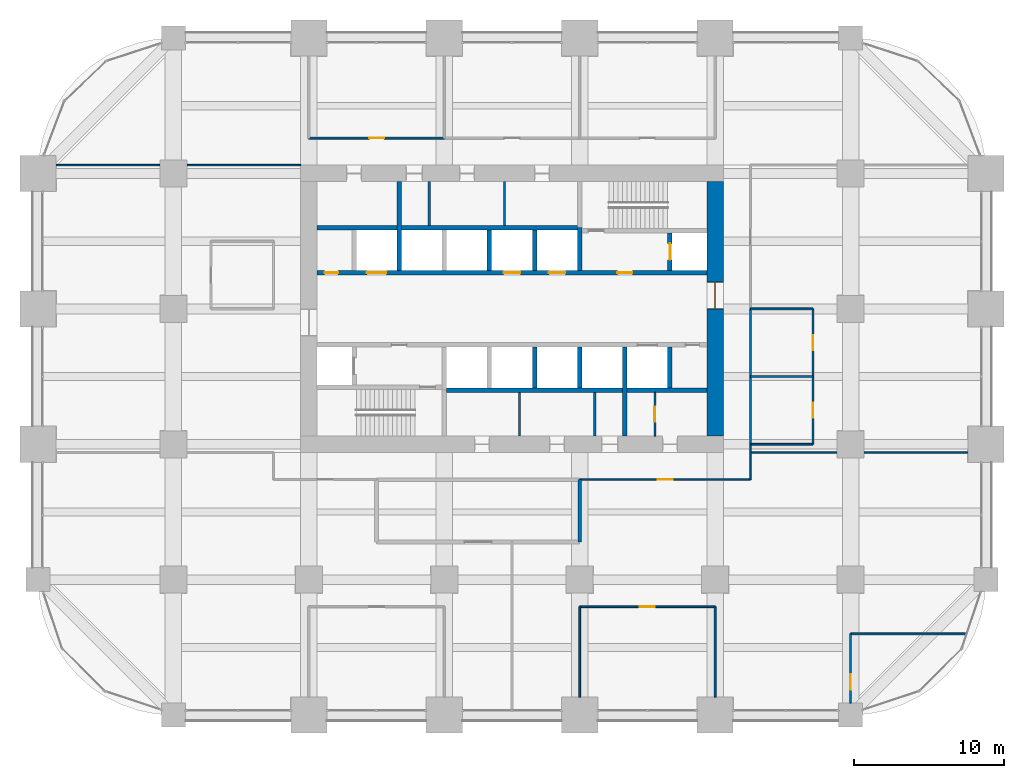
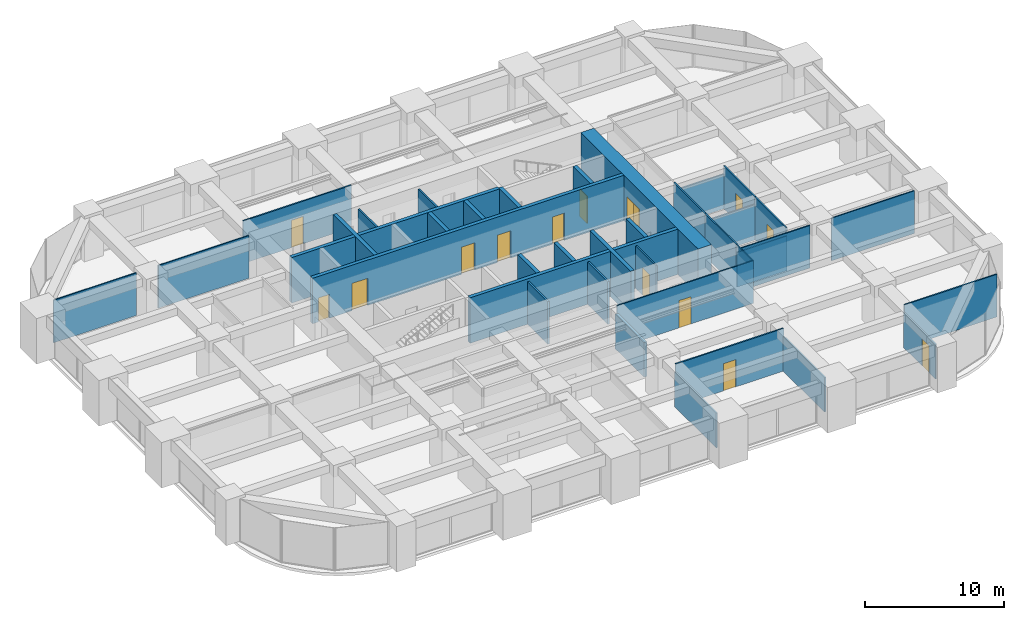
# One storey, part 37 of 39: 38 walls, 14 doors, 14 openings.
"""IFC4 building model written with IfcOpenShell, lengths in metres."""

from ifc_helpers import new_model, si_unit, direction, frame, frame_2d, origin, place, context, subcontext, project, spatial, rectangle, extrude, material, layer, layer_set, type_object, element, fill, save


model = new_model("IFC4")

# Units and contexts
model_context = context("Model", 3, precision=1e-05, world=origin(), true_north=direction((0.0, 1.0)))
body_context = subcontext(model_context, "Body", "Model", "MODEL_VIEW")
ifc_project = project(units=[si_unit("LENGTHUNIT", "METRE"), si_unit("AREAUNIT", "SQUARE_METRE"), si_unit("VOLUMEUNIT", "CUBIC_METRE"), si_unit("PLANEANGLEUNIT", "RADIAN"), si_unit("MASSUNIT", "GRAM", prefix="KILO")], contexts=[model_context])

# Site, building, storey
site_placement = place(None, origin())
site = spatial("IfcSite", under=ifc_project, at=site_placement, CompositionType="ELEMENT")
building_placement = place(site_placement, origin())
building = spatial("IfcBuilding", under=site, at=building_placement, Name="Zorevar Civic Tower", CompositionType="ELEMENT")
storey_placement = place(building_placement, frame((0.0, 0.0, 125.0)))
storey = spatial("IfcBuildingStorey", under=building, at=storey_placement, Name="L30", CompositionType="ELEMENT", Elevation=125.0)

# Wall
ifc_material_1 = material(Name="Twin-stud acoustic wall, gypsum board")
ifc_layer_1 = layer(ifc_material_1, 0.25)
ifc_layer_set_1 = layer_set([ifc_layer_1], Name="Acoustic wall 250")
wall_type_1 = type_object("IfcWallType", Name="Acoustic wall 250", PredefinedType="PARTITIONING", material=ifc_layer_set_1)
wall_1_placement = place(storey_placement, frame((36.0, 11.5, 0.0), z_axis=(0.0, 0.0, 1.0), x_axis=(0.0, 1.0, 0.0)))
element("IfcWall", 1, at=wall_1_placement, inside=storey, type_object=wall_type_1, Name="Acoustic wall 250 L30", PredefinedType="PARTITIONING", context=body_context, shape_type="SweptSolid", body=[
    extrude(rectangle(XDim=4.14990234375, YDim=0.25, at=frame_2d((2.074951171875, 0.0))), origin(), (0.0, 0.0, 1.0), 3.050048828125),
])

# Wall, opening, door
ifc_material_2 = material(Name="Concrete C50/60", Category="concrete")
ifc_layer_2 = layer(ifc_material_2, 1.10009765625)
ifc_layer_set_2 = layer_set([ifc_layer_2], Name="Core wall 1100")
wall_type_2 = type_object("IfcWallType", Name="Core wall 1100", PredefinedType="SHEAR", material=ifc_layer_set_2)
wall_2_placement = place(storey_placement, frame((45.0, 18.550048828125, 0.0), z_axis=(0.0, 0.0, 1.0), x_axis=(0.0, 1.0, 0.0)))
wall_2 = element("IfcWall", 2, at=wall_2_placement, inside=storey, type_object=wall_type_2, Name="Core wall E L30", PredefinedType="SHEAR", context=body_context, shape_type="SweptSolid", body=[
    extrude(rectangle(XDim=16.89990234375, YDim=1.10009765625, at=frame_2d((8.449951171875, 0.0))), origin(), (0.0, 0.0, 1.0), 4.0),
])
opening_1_placement = place(wall_2_placement, frame((8.449951171875, 0.0, 0.0)))
opening_1 = element("IfcOpeningElement", 3, at=opening_1_placement, cuts=wall_2, Name="Opening L30.02", PredefinedType="OPENING", context=body_context, shape_type="SweptSolid", body=[
    extrude(rectangle(XDim=1.800048828125, YDim=2.39990234375, at=frame_2d((0.89990234375, 1.199951171875))), frame((0.0, 0.56005859375, 0.0), z_axis=(0.0, -1.0, 0.0), x_axis=(1.0, 0.0, 0.0)), (0.0, 0.0, 1.0), 1.1201171875),
])
ifc_material_3 = material(Name="Steel door set", Category="steel")
door_type_1 = type_object("IfcDoorType", Name="Fire door FD2 1800x2400", OperationType="DOUBLE_DOOR_DOUBLE_SWING", PredefinedType="DOOR", material=ifc_material_3)
door_1_placement = place(opening_1_placement, origin())
door_1 = element("IfcDoor", 4, at=door_1_placement, inside=storey, type_object=door_type_1, Name="Door L30 01", OperationType="DOUBLE_DOOR_DOUBLE_SWING", OverallHeight=2.39990234375, OverallWidth=1.800048828125, PredefinedType="DOOR", context=body_context, shape_type="SweptSolid", body=[
    extrude(rectangle(XDim=1.800048828125, YDim=2.39990234375, at=frame_2d((0.89990234375, 1.199951171875))), frame((0.0, 0.030029296875, 0.0), z_axis=(0.0, -1.0, 0.0), x_axis=(1.0, 0.0, 0.0)), (0.0, 0.0, 1.0), 0.06005859375),
    extrude(rectangle(XDim=0.04, YDim=2.39990234375, at=frame_2d((0.02001953125, 1.199951171875))), frame((0.0, 0.5498046875, 0.0), z_axis=(0.0, -1.0, 0.0), x_axis=(1.0, 0.0, 0.0)), (0.0, 0.0, 1.0), 1.099609375),
    extrude(rectangle(XDim=0.04, YDim=2.39990234375, at=frame_2d((1.780029296875, 1.199951171875))), frame((0.0, 0.5498046875, 0.0), z_axis=(0.0, -1.0, 0.0), x_axis=(1.0, 0.0, 0.0)), (0.0, 0.0, 1.0), 1.099609375),
    extrude(rectangle(XDim=1.800048828125, YDim=0.04, at=frame_2d((0.89990234375, 2.3798828125))), frame((0.0, 0.5498046875, 0.0), z_axis=(0.0, -1.0, 0.0), x_axis=(1.0, 0.0, 0.0)), (0.0, 0.0, 1.0), 1.099609375),
])
fill(opening_1, door_1)

ifc_material_4 = material(Name="Laminated glass in black aluminium frame", Category="aluminium")
ifc_layer_3 = layer(ifc_material_4, 0.10009765625)
ifc_layer_set_3 = layer_set([ifc_layer_3], Name="Glazed partition 100")
wall_type_3 = type_object("IfcWallType", Name="Glazed partition 100", PredefinedType="PARTITIONING", material=ifc_layer_set_3)
wall_3_placement = place(storey_placement, frame((36.0, 15.64990234375, 0.0), z_axis=(0.0, 0.0, 1.0), x_axis=(1.0, 0.0, 0.0)))
wall_3 = element("IfcWall", 5, at=wall_3_placement, inside=storey, type_object=wall_type_3, Name="Glazed partition 100 L30", PredefinedType="PARTITIONING", context=body_context, shape_type="SweptSolid", body=[
    extrude(rectangle(XDim=11.35009765625, YDim=0.10009765625, at=frame_2d((5.675048828125, 0.0))), origin(), (0.0, 0.0, 1.0), 3.75),
])
opening_2_placement = place(wall_3_placement, frame((5.175048828125, 0.0, 0.0)))
opening_2 = element("IfcOpeningElement", 6, at=opening_2_placement, cuts=wall_3, Name="Opening L30.21", PredefinedType="OPENING", context=body_context, shape_type="SweptSolid", body=[
    extrude(rectangle(XDim=1.0, YDim=2.39990234375, at=frame_2d((0.5, 1.199951171875))), frame((0.0, 0.06005859375, 0.0), z_axis=(0.0, -1.0, 0.0), x_axis=(1.0, 0.0, 0.0)), (0.0, 0.0, 1.0), 0.1201171875),
])
ifc_material_5 = material(Name="Timber door set", Category="wood")
door_type_2 = type_object("IfcDoorType", Name="Glazed door GD1 1000x2400", OperationType="SINGLE_SWING_LEFT", PredefinedType="DOOR", material=ifc_material_5)
door_2_placement = place(opening_2_placement, origin())
door_2 = element("IfcDoor", 7, at=door_2_placement, inside=storey, type_object=door_type_2, Name="Door L30 D1", OperationType="SINGLE_SWING_LEFT", OverallHeight=2.39990234375, OverallWidth=1.0, PredefinedType="DOOR", context=body_context, shape_type="SweptSolid", body=[
    extrude(rectangle(XDim=1.0, YDim=2.39990234375, at=frame_2d((0.5, 1.199951171875))), frame((0.0, 0.02001953125, 0.0), z_axis=(0.0, -1.0, 0.0), x_axis=(1.0, 0.0, 0.0)), (0.0, 0.0, 1.0), 0.0400390625),
])
fill(opening_2, door_2)

# Walls
wall_4_placement = place(storey_placement, frame((47.35009765625, 17.449951171875, 0.0), z_axis=(0.0, 0.0, 1.0), x_axis=(1.0, 0.0, 0.0)))
element("IfcWall", 8, at=wall_4_placement, inside=storey, type_object=wall_type_3, Name="Glazed partition 100 L30", PredefinedType="PARTITIONING", context=body_context, shape_type="SweptSolid", body=[
    extrude(rectangle(XDim=5.75, YDim=0.10009765625, at=frame_2d((2.875, 0.0))), origin(), (0.0, 0.0, 1.0), 3.75),
])
for number, where, z_axis, x_axis, name in (
    (9, (54.89990234375, 17.449951171875, 0.0), (0.0, 0.0, 1.0), (1.0, 0.0, 0.0), "Glazed partition 100 L30"),
    (10, (1.199951171875, 36.550048828125, 0.0), (0.0, 0.0, 1.0), (1.0, 0.0, 0.0), "Glazed partition 100 L30"),
):
    element("IfcWall", number, at=place(storey_placement, frame(where, z_axis=z_axis, x_axis=x_axis)), inside=storey, type_object=wall_type_3, Name=name, PredefinedType="PARTITIONING", context=body_context, shape_type="SweptSolid", body=[
        extrude(rectangle(XDim=6.900146484375, YDim=0.10009765625, at=frame_2d((3.4501953125, 0.0))), origin(), (0.0, 0.0, 1.0), 3.75),
    ])
wall_5_placement = place(storey_placement, frame((9.89990234375, 36.550048828125, 0.0), z_axis=(0.0, 0.0, 1.0), x_axis=(1.0, 0.0, 0.0)))
element("IfcWall", 11, at=wall_5_placement, inside=storey, type_object=wall_type_3, Name="Glazed partition 100 L30", PredefinedType="PARTITIONING", context=body_context, shape_type="SweptSolid", body=[
    extrude(rectangle(XDim=7.550048828125, YDim=0.10009765625, at=frame_2d((3.77490234375, 0.0))), origin(), (0.0, 0.0, 1.0), 3.75),
])
wall_6_placement = place(storey_placement, frame((47.35009765625, 15.64990234375, 0.0), z_axis=(0.0, 0.0, 1.0), x_axis=(0.0, 1.0, 0.0)))
element("IfcWall", 12, at=wall_6_placement, inside=storey, type_object=wall_type_3, Name="Glazed partition 100 L30", PredefinedType="PARTITIONING", context=body_context, shape_type="SweptSolid", body=[
    extrude(rectangle(XDim=2.35009765625, YDim=0.10009765625, at=frame_2d((1.175048828125, 0.0))), origin(), (0.0, 0.0, 1.0), 3.75),
])

# Wall, opening, door
ifc_material_6 = material(Name="Concrete C40/50", Category="concrete")
ifc_layer_4 = layer(ifc_material_6, 0.300048828125)
ifc_layer_set_4 = layer_set([ifc_layer_4], Name="Inner core wall 300")
wall_type_4 = type_object("IfcWallType", Name="Inner core wall 300", PredefinedType="SHEAR", material=ifc_layer_set_4)
wall_7_placement = place(storey_placement, frame((42.0, 29.550048828125, 0.0), z_axis=(0.0, 0.0, 1.0), x_axis=(0.0, 1.0, 0.0)))
wall_7 = element("IfcWall", 13, at=wall_7_placement, inside=storey, type_object=wall_type_4, Name="Inner core wall N02 L30", PredefinedType="SHEAR", context=body_context, shape_type="SweptSolid", body=[
    extrude(rectangle(XDim=2.5, YDim=0.300048828125, at=frame_2d((1.25, 0.0))), origin(), (0.0, 0.0, 1.0), 4.0),
])
opening_3_placement = place(wall_7_placement, frame((0.699951171875, 0.0, 0.0)))
opening_3 = element("IfcOpeningElement", 14, at=opening_3_placement, cuts=wall_7, Name="Opening L30.FL2", PredefinedType="OPENING", context=body_context, shape_type="SweptSolid", body=[
    extrude(rectangle(XDim=1.10009765625, YDim=2.39990234375, at=frame_2d((0.550048828125, 1.199951171875))), frame((0.0, 0.159912109375, 0.0), z_axis=(0.0, -1.0, 0.0), x_axis=(1.0, 0.0, 0.0)), (0.0, 0.0, 1.0), 0.320068359375),
])
ifc_material_7 = material(Name="Steel door set", Category="steel")
door_type_3 = type_object("IfcDoorType", Name="Firefighting lift landing door LD3 1100x2400", OperationType="DOUBLE_DOOR_SLIDING", PredefinedType="DOOR", material=ifc_material_7)
door_3_placement = place(opening_3_placement, origin())
door_3 = element("IfcDoor", 15, at=door_3_placement, inside=storey, type_object=door_type_3, Name="Landing door FL2 L30", OperationType="DOUBLE_DOOR_SLIDING", OverallHeight=2.39990234375, OverallWidth=1.10009765625, PredefinedType="DOOR", context=body_context, shape_type="SweptSolid", body=[
    extrude(rectangle(XDim=1.10009765625, YDim=2.39990234375, at=frame_2d((0.550048828125, 1.199951171875))), frame((0.0, 0.030029296875, 0.0), z_axis=(0.0, -1.0, 0.0), x_axis=(1.0, 0.0, 0.0)), (0.0, 0.0, 1.0), 0.06005859375),
])
fill(opening_3, door_3)

# Wall, openings, doors
wall_8_placement = place(storey_placement, frame((18.550048828125, 29.39990234375, 0.0), z_axis=(0.0, 0.0, 1.0), x_axis=(1.0, 0.0, 0.0)))
wall_8 = element("IfcWall", 16, at=wall_8_placement, inside=storey, type_object=wall_type_4, Name="Inner core wall N03 L30", PredefinedType="SHEAR", context=body_context, shape_type="SweptSolid", body=[
    extrude(rectangle(XDim=25.89990234375, YDim=0.300048828125, at=frame_2d((12.949951171875, 0.0))), origin(), (0.0, 0.0, 1.0), 4.0),
])
opening_4_placement = place(wall_8_placement, frame((19.949951171875, 0.0, 0.0)))
opening_4 = element("IfcOpeningElement", 17, at=opening_4_placement, cuts=wall_8, Name="Opening L30.14", PredefinedType="OPENING", context=body_context, shape_type="SweptSolid", body=[
    extrude(rectangle(XDim=1.0, YDim=2.39990234375, at=frame_2d((0.5, 1.199951171875))), frame((0.0, 0.159912109375, 0.0), z_axis=(0.0, -1.0, 0.0), x_axis=(1.0, 0.0, 0.0)), (0.0, 0.0, 1.0), 0.320068359375),
])
opening_5_placement = place(wall_8_placement, frame((0.5, 0.0, 0.0)))
opening_5 = element("IfcOpeningElement", 18, at=opening_5_placement, cuts=wall_8, Name="Opening L30.16", PredefinedType="OPENING", context=body_context, shape_type="SweptSolid", body=[
    extrude(rectangle(XDim=0.89990234375, YDim=2.10009765625, at=frame_2d((0.449951171875, 1.050048828125))), frame((0.0, 0.159912109375, 0.0), z_axis=(0.0, -1.0, 0.0), x_axis=(1.0, 0.0, 0.0)), (0.0, 0.0, 1.0), 0.320068359375),
])
opening_6_placement = place(wall_8_placement, frame((15.39990234375, 0.0, 0.0)))
opening_6 = element("IfcOpeningElement", 19, at=opening_6_placement, cuts=wall_8, Name="Opening L30.LM1", PredefinedType="OPENING", context=body_context, shape_type="SweptSolid", body=[
    extrude(rectangle(XDim=1.10009765625, YDim=2.39990234375, at=frame_2d((0.550048828125, 1.199951171875))), frame((0.0, 0.159912109375, 0.0), z_axis=(0.0, -1.0, 0.0), x_axis=(1.0, 0.0, 0.0)), (0.0, 0.0, 1.0), 0.320068359375),
])
opening_7_placement = place(wall_8_placement, frame((12.39990234375, 0.0, 0.0)))
opening_7 = element("IfcOpeningElement", 20, at=opening_7_placement, cuts=wall_8, Name="Opening L30.LM2", PredefinedType="OPENING", context=body_context, shape_type="SweptSolid", body=[
    extrude(rectangle(XDim=1.10009765625, YDim=2.39990234375, at=frame_2d((0.550048828125, 1.199951171875))), frame((0.0, 0.159912109375, 0.0), z_axis=(0.0, -1.0, 0.0), x_axis=(1.0, 0.0, 0.0)), (0.0, 0.0, 1.0), 0.320068359375),
])
opening_8_placement = place(wall_8_placement, frame((3.300048828125, 0.0, 0.0)))
opening_8 = element("IfcOpeningElement", 21, at=opening_8_placement, cuts=wall_8, Name="Opening L30.SL2", PredefinedType="OPENING", context=body_context, shape_type="SweptSolid", body=[
    extrude(rectangle(XDim=1.300048828125, YDim=2.39990234375, at=frame_2d((0.64990234375, 1.199951171875))), frame((0.0, 0.159912109375, 0.0), z_axis=(0.0, -1.0, 0.0), x_axis=(1.0, 0.0, 0.0)), (0.0, 0.0, 1.0), 0.320068359375),
])
ifc_material_8 = material(Name="Steel door set", Category="steel")
door_type_4 = type_object("IfcDoorType", Name="Fire door FD1 1000x2400", OperationType="SINGLE_SWING_LEFT", PredefinedType="DOOR", material=ifc_material_8)
door_4_placement = place(opening_4_placement, origin())
door_4 = element("IfcDoor", 22, at=door_4_placement, inside=storey, type_object=door_type_4, Name="Door L30 13", OperationType="SINGLE_SWING_RIGHT", OverallHeight=2.39990234375, OverallWidth=1.0, PredefinedType="DOOR", context=body_context, shape_type="SweptSolid", body=[
    extrude(rectangle(XDim=1.0, YDim=2.39990234375, at=frame_2d((0.5, 1.199951171875))), frame((0.0, 0.030029296875, 0.0), z_axis=(0.0, -1.0, 0.0), x_axis=(1.0, 0.0, 0.0)), (0.0, 0.0, 1.0), 0.06005859375),
])
fill(opening_4, door_4)
ifc_material_9 = material(Name="Steel door set", Category="steel")
door_type_5 = type_object("IfcDoorType", Name="Landing door LD1 1100x2400", OperationType="DOUBLE_DOOR_SLIDING", PredefinedType="DOOR", material=ifc_material_9)
door_5_placement = place(opening_6_placement, origin())
door_5 = element("IfcDoor", 23, at=door_5_placement, inside=storey, type_object=door_type_5, Name="Landing door LM1 L30", OperationType="DOUBLE_DOOR_SLIDING", OverallHeight=2.39990234375, OverallWidth=1.10009765625, PredefinedType="DOOR", context=body_context, shape_type="SweptSolid", body=[
    extrude(rectangle(XDim=1.10009765625, YDim=2.39990234375, at=frame_2d((0.550048828125, 1.199951171875))), frame((0.0, 0.02001953125, 0.0), z_axis=(0.0, -1.0, 0.0), x_axis=(1.0, 0.0, 0.0)), (0.0, 0.0, 1.0), 0.0400390625),
])
fill(opening_6, door_5)
door_6_placement = place(opening_7_placement, origin())
door_6 = element("IfcDoor", 24, at=door_6_placement, inside=storey, type_object=door_type_5, Name="Landing door LM2 L30", OperationType="DOUBLE_DOOR_SLIDING", OverallHeight=2.39990234375, OverallWidth=1.10009765625, PredefinedType="DOOR", context=body_context, shape_type="SweptSolid", body=[
    extrude(rectangle(XDim=1.10009765625, YDim=2.39990234375, at=frame_2d((0.550048828125, 1.199951171875))), frame((0.0, 0.02001953125, 0.0), z_axis=(0.0, -1.0, 0.0), x_axis=(1.0, 0.0, 0.0)), (0.0, 0.0, 1.0), 0.0400390625),
])
fill(opening_7, door_6)
ifc_material_10 = material(Name="Steel door set", Category="steel")
door_type_6 = type_object("IfcDoorType", Name="Landing door LD2 1300x2400", OperationType="DOUBLE_DOOR_SLIDING", PredefinedType="DOOR", material=ifc_material_10)
door_7_placement = place(opening_8_placement, origin())
door_7 = element("IfcDoor", 25, at=door_7_placement, inside=storey, type_object=door_type_6, Name="Landing door SL2 L30", OperationType="DOUBLE_DOOR_SLIDING", OverallHeight=2.39990234375, OverallWidth=1.300048828125, PredefinedType="DOOR", context=body_context, shape_type="SweptSolid", body=[
    extrude(rectangle(XDim=1.300048828125, YDim=2.39990234375, at=frame_2d((0.64990234375, 1.199951171875))), frame((0.0, 0.02001953125, 0.0), z_axis=(0.0, -1.0, 0.0), x_axis=(1.0, 0.0, 0.0)), (0.0, 0.0, 1.0), 0.0400390625),
])
fill(opening_8, door_7)
ifc_material_11 = material(Name="Steel door set", Category="steel")
door_type_7 = type_object("IfcDoorType", Name="Riser door RD1 900x2100", OperationType="SINGLE_SWING_LEFT", PredefinedType="DOOR", material=ifc_material_11)
door_8_placement = place(opening_5_placement, origin())
door_8 = element("IfcDoor", 26, at=door_8_placement, inside=storey, type_object=door_type_7, Name="Door L30 15", OperationType="SINGLE_SWING_RIGHT", OverallHeight=2.10009765625, OverallWidth=0.89990234375, PredefinedType="DOOR", context=body_context, shape_type="SweptSolid", body=[
    extrude(rectangle(XDim=0.89990234375, YDim=2.10009765625, at=frame_2d((0.449951171875, 1.050048828125))), frame((0.0, 0.030029296875, 0.0), z_axis=(0.0, -1.0, 0.0), x_axis=(1.0, 0.0, 0.0)), (0.0, 0.0, 1.0), 0.06005859375),
])
fill(opening_5, door_8)

# Walls
for number, where, z_axis, x_axis, name in (
    (27, (27.14990234375, 21.60009765625, 0.0), (0.0, 0.0, 1.0), (1.0, 0.0, 0.0), "Inner core wall S04 L30"),
    (28, (18.550048828125, 32.39990234375, 0.0), (0.0, 0.0, 1.0), (1.0, 0.0, 0.0), "Inner core wall N04 L30"),
):
    element("IfcWall", number, at=place(storey_placement, frame(where, z_axis=z_axis, x_axis=x_axis)), inside=storey, type_object=wall_type_4, Name=name, PredefinedType="SHEAR", context=body_context, shape_type="SweptSolid", body=[
        extrude(rectangle(XDim=17.300048828125, YDim=0.300048828125, at=frame_2d((8.64990234375, 0.0))), origin(), (0.0, 0.0, 1.0), 4.0),
    ])
for number, where, z_axis, x_axis, name in (
    (29, (33.0, 29.550048828125, 0.0), (0.0, 0.0, 1.0), (0.0, 1.0, 0.0), "Inner core wall N05 L30"),
    (30, (33.0, 21.75, 0.0), (0.0, 0.0, 1.0), (0.0, 1.0, 0.0), "Inner core wall S06 L30"),
    (31, (30.0, 29.550048828125, 0.0), (0.0, 0.0, 1.0), (0.0, 1.0, 0.0), "Inner core wall N06 L30"),
    (32, (36.0, 21.75, 0.0), (0.0, 0.0, 1.0), (0.0, 1.0, 0.0), "Inner core wall S07 L30"),
):
    element("IfcWall", number, at=place(storey_placement, frame(where, z_axis=z_axis, x_axis=x_axis)), inside=storey, type_object=wall_type_4, Name=name, PredefinedType="SHEAR", context=body_context, shape_type="SweptSolid", body=[
        extrude(rectangle(XDim=2.699951171875, YDim=0.300048828125, at=frame_2d((1.35009765625, 0.0))), origin(), (0.0, 0.0, 1.0), 4.0),
    ])
for number, where, z_axis, x_axis, name in (
    (33, (39.0, 18.550048828125, 0.0), (0.0, 0.0, 1.0), (0.0, 1.0, 0.0), "Inner core wall S08 L30"),
    (34, (24.0, 29.550048828125, 0.0), (0.0, 0.0, 1.0), (0.0, 1.0, 0.0), "Inner core wall N08 L30"),
):
    element("IfcWall", number, at=place(storey_placement, frame(where, z_axis=z_axis, x_axis=x_axis)), inside=storey, type_object=wall_type_4, Name=name, PredefinedType="SHEAR", context=body_context, shape_type="SweptSolid", body=[
        extrude(rectangle(XDim=5.89990234375, YDim=0.300048828125, at=frame_2d((2.949951171875, 0.0))), origin(), (0.0, 0.0, 1.0), 4.0),
    ])
wall_9_placement = place(storey_placement, frame((42.0, 21.75, 0.0), z_axis=(0.0, 0.0, 1.0), x_axis=(0.0, 1.0, 0.0)))
element("IfcWall", 35, at=wall_9_placement, inside=storey, type_object=wall_type_4, Name="Inner core wall S09 L30", PredefinedType="SHEAR", context=body_context, shape_type="SweptSolid", body=[
    extrude(rectangle(XDim=2.699951171875, YDim=0.300048828125, at=frame_2d((1.35009765625, 0.0))), origin(), (0.0, 0.0, 1.0), 4.0),
])
wall_10_placement = place(storey_placement, frame((36.0, 29.550048828125, 0.0), z_axis=(0.0, 0.0, 1.0), x_axis=(0.0, 1.0, 0.0)))
element("IfcWall", 36, at=wall_10_placement, inside=storey, type_object=wall_type_4, Name="Inner core wall N10 L30", PredefinedType="SHEAR", context=body_context, shape_type="SweptSolid", body=[
    extrude(rectangle(XDim=2.849853515625, YDim=0.300048828125, at=frame_2d((1.4248046875, 0.0))), origin(), (0.0, 0.0, 1.0), 4.0),
])
ifc_material_12 = material(Name="Gypsum board on steel studs", Category="steel")
ifc_layer_5 = layer(ifc_material_12, 0.1201171875)
ifc_layer_set_5 = layer_set([ifc_layer_5], Name="Partition 120")
wall_type_5 = type_object("IfcWallType", Name="Partition 120", PredefinedType="PARTITIONING", material=ifc_layer_set_5)
wall_11_placement = place(storey_placement, frame((54.0, 5.39990234375, 0.0), z_axis=(0.0, 0.0, 1.0), x_axis=(1.0, 0.0, 0.0)))
element("IfcWall", 37, at=wall_11_placement, inside=storey, type_object=wall_type_5, Name="Partition 120 L30", PredefinedType="PARTITIONING", context=body_context, shape_type="SweptSolid", body=[
    extrude(rectangle(XDim=7.688232421875, YDim=0.1201171875, at=frame_2d((3.84423828125, 0.0))), origin(), (0.0, 0.0, 1.0), 3.75),
])

# Wall, opening, door
wall_12_placement = place(storey_placement, frame((36.0, 7.199951171875, 0.0), z_axis=(0.0, 0.0, 1.0), x_axis=(1.0, 0.0, 0.0)))
wall_12 = element("IfcWall", 38, at=wall_12_placement, inside=storey, type_object=wall_type_5, Name="Partition 120 L30", PredefinedType="PARTITIONING", context=body_context, shape_type="SweptSolid", body=[
    extrude(rectangle(XDim=9.0, YDim=0.1201171875, at=frame_2d((4.5, 0.0))), origin(), (0.0, 0.0, 1.0), 3.75),
])
opening_9_placement = place(wall_12_placement, frame((4.0, 0.0, 0.0)))
opening_9 = element("IfcOpeningElement", 39, at=opening_9_placement, cuts=wall_12, Name="Opening L30.18", PredefinedType="OPENING", context=body_context, shape_type="SweptSolid", body=[
    extrude(rectangle(XDim=1.0, YDim=2.39990234375, at=frame_2d((0.5, 1.199951171875))), frame((0.0, 0.070068359375, 0.0), z_axis=(0.0, -1.0, 0.0), x_axis=(1.0, 0.0, 0.0)), (0.0, 0.0, 1.0), 0.14013671875),
])
ifc_material_13 = material(Name="Timber door set", Category="wood")
door_type_8 = type_object("IfcDoorType", Name="Door D1 1000x2400", OperationType="SINGLE_SWING_LEFT", PredefinedType="DOOR", material=ifc_material_13)
door_9_placement = place(opening_9_placement, origin())
door_9 = element("IfcDoor", 40, at=door_9_placement, inside=storey, type_object=door_type_8, Name="Door L30 D1", OperationType="SINGLE_SWING_RIGHT", OverallHeight=2.39990234375, OverallWidth=1.0, PredefinedType="DOOR", context=body_context, shape_type="SweptSolid", body=[
    extrude(rectangle(XDim=1.0, YDim=2.39990234375, at=frame_2d((0.5, 1.199951171875))), frame((0.0, 0.02490234375, 0.0), z_axis=(0.0, -1.0, 0.0), x_axis=(1.0, 0.0, 0.0)), (0.0, 0.0, 1.0), 0.050048828125),
])
fill(opening_9, door_9)

# Walls
wall_13_placement = place(storey_placement, frame((47.35009765625, 18.0, 0.0), z_axis=(0.0, 0.0, 1.0), x_axis=(1.0, 0.0, 0.0)))
element("IfcWall", 41, at=wall_13_placement, inside=storey, type_object=wall_type_5, Name="Partition 120 L30", PredefinedType="PARTITIONING", context=body_context, shape_type="SweptSolid", body=[
    extrude(rectangle(XDim=4.14990234375, YDim=0.1201171875, at=frame_2d((2.074951171875, 0.0))), origin(), (0.0, 0.0, 1.0), 3.050048828125),
])
wall_14_placement = place(storey_placement, frame((47.35009765625, 22.5, 0.0), z_axis=(0.0, 0.0, 1.0), x_axis=(1.0, 0.0, 0.0)))
element("IfcWall", 42, at=wall_14_placement, inside=storey, type_object=wall_type_5, Name="Partition 120 L30", PredefinedType="PARTITIONING", context=body_context, shape_type="SweptSolid", body=[
    extrude(rectangle(XDim=4.14990234375, YDim=0.1201171875, at=frame_2d((2.074951171875, 0.0))), origin(), (0.0, 0.0, 1.0), 3.10009765625),
])
wall_15_placement = place(storey_placement, frame((47.35009765625, 27.0, 0.0), z_axis=(0.0, 0.0, 1.0), x_axis=(1.0, 0.0, 0.0)))
element("IfcWall", 43, at=wall_15_placement, inside=storey, type_object=wall_type_5, Name="Partition 120 L30", PredefinedType="PARTITIONING", context=body_context, shape_type="SweptSolid", body=[
    extrude(rectangle(XDim=4.14990234375, YDim=0.1201171875, at=frame_2d((2.074951171875, 0.0))), origin(), (0.0, 0.0, 1.0), 3.050048828125),
])

# Wall, opening, door
wall_16_placement = place(storey_placement, frame((18.0, 38.35009765625, 0.0), z_axis=(0.0, 0.0, 1.0), x_axis=(1.0, 0.0, 0.0)))
wall_16 = element("IfcWall", 44, at=wall_16_placement, inside=storey, type_object=wall_type_5, Name="Partition 120 L30", PredefinedType="PARTITIONING", context=body_context, shape_type="SweptSolid", body=[
    extrude(rectangle(XDim=9.0, YDim=0.1201171875, at=frame_2d((4.5, 0.0))), origin(), (0.0, 0.0, 1.0), 3.75),
])
opening_10_placement = place(wall_16_placement, frame((4.0, 0.0, 0.0)))
opening_10 = element("IfcOpeningElement", 45, at=opening_10_placement, cuts=wall_16, Name="Opening L30.22", PredefinedType="OPENING", context=body_context, shape_type="SweptSolid", body=[
    extrude(rectangle(XDim=1.0, YDim=2.39990234375, at=frame_2d((0.5, 1.199951171875))), frame((0.0, 0.070068359375, 0.0), z_axis=(0.0, -1.0, 0.0), x_axis=(1.0, 0.0, 0.0)), (0.0, 0.0, 1.0), 0.14013671875),
])
door_10_placement = place(opening_10_placement, origin())
door_10 = element("IfcDoor", 46, at=door_10_placement, inside=storey, type_object=door_type_8, Name="Door L30 D1", OperationType="SINGLE_SWING_LEFT", OverallHeight=2.39990234375, OverallWidth=1.0, PredefinedType="DOOR", context=body_context, shape_type="SweptSolid", body=[
    extrude(rectangle(XDim=1.0, YDim=2.39990234375, at=frame_2d((0.5, 1.199951171875))), frame((0.0, 0.02490234375, 0.0), z_axis=(0.0, -1.0, 0.0), x_axis=(1.0, 0.0, 0.0)), (0.0, 0.0, 1.0), 0.050048828125),
])
fill(opening_10, door_10)

# Walls
for number, where, z_axis, x_axis, name in (
    (47, (36.0, 1.199951171875, 0.0), (0.0, 0.0, 1.0), (0.0, 1.0, 0.0), "Partition 120 L30"),
    (48, (45.0, 1.199951171875, 0.0), (0.0, 0.0, 1.0), (0.0, 1.0, 0.0), "Partition 120 L30"),
):
    element("IfcWall", number, at=place(storey_placement, frame(where, z_axis=z_axis, x_axis=x_axis)), inside=storey, type_object=wall_type_5, Name=name, PredefinedType="PARTITIONING", context=body_context, shape_type="SweptSolid", body=[
        extrude(rectangle(XDim=6.0, YDim=0.1201171875, at=frame_2d((3.0, 0.0))), origin(), (0.0, 0.0, 1.0), 3.050048828125),
    ])
for number, where, z_axis, x_axis, name in (
    (49, (47.35009765625, 18.0, 0.0), (0.0, 0.0, 1.0), (0.0, 1.0, 0.0), "Partition 120 L30"),
    (50, (47.35009765625, 22.5, 0.0), (0.0, 0.0, 1.0), (0.0, 1.0, 0.0), "Partition 120 L30"),
):
    element("IfcWall", number, at=place(storey_placement, frame(where, z_axis=z_axis, x_axis=x_axis)), inside=storey, type_object=wall_type_5, Name=name, PredefinedType="PARTITIONING", context=body_context, shape_type="SweptSolid", body=[
        extrude(rectangle(XDim=4.5, YDim=0.1201171875, at=frame_2d((2.25, 0.0))), origin(), (0.0, 0.0, 1.0), 3.75),
    ])

# Wall, opening, door
wall_17_placement = place(storey_placement, frame((51.5, 18.0, 0.0), z_axis=(0.0, 0.0, 1.0), x_axis=(0.0, 1.0, 0.0)))
wall_17 = element("IfcWall", 51, at=wall_17_placement, inside=storey, type_object=wall_type_5, Name="Partition 120 L30", PredefinedType="PARTITIONING", context=body_context, shape_type="SweptSolid", body=[
    extrude(rectangle(XDim=4.5, YDim=0.1201171875, at=frame_2d((2.25, 0.0))), origin(), (0.0, 0.0, 1.0), 3.75),
])
opening_11_placement = place(wall_17_placement, frame((1.75, 0.0, 0.0)))
opening_11 = element("IfcOpeningElement", 52, at=opening_11_placement, cuts=wall_17, Name="Opening L30.27", PredefinedType="OPENING", context=body_context, shape_type="SweptSolid", body=[
    extrude(rectangle(XDim=1.0, YDim=2.39990234375, at=frame_2d((0.5, 1.199951171875))), frame((0.0, 0.070068359375, 0.0), z_axis=(0.0, -1.0, 0.0), x_axis=(1.0, 0.0, 0.0)), (0.0, 0.0, 1.0), 0.14013671875),
])
door_11_placement = place(opening_11_placement, origin())
door_11 = element("IfcDoor", 53, at=door_11_placement, inside=storey, type_object=door_type_8, Name="Door L30 D1", OperationType="SINGLE_SWING_LEFT", OverallHeight=2.39990234375, OverallWidth=1.0, PredefinedType="DOOR", context=body_context, shape_type="SweptSolid", body=[
    extrude(rectangle(XDim=1.0, YDim=2.39990234375, at=frame_2d((0.5, 1.199951171875))), frame((0.0, 0.02490234375, 0.0), z_axis=(0.0, -1.0, 0.0), x_axis=(1.0, 0.0, 0.0)), (0.0, 0.0, 1.0), 0.050048828125),
])
fill(opening_11, door_11)

wall_18_placement = place(storey_placement, frame((51.5, 22.5, 0.0), z_axis=(0.0, 0.0, 1.0), x_axis=(0.0, 1.0, 0.0)))
wall_18 = element("IfcWall", 54, at=wall_18_placement, inside=storey, type_object=wall_type_5, Name="Partition 120 L30", PredefinedType="PARTITIONING", context=body_context, shape_type="SweptSolid", body=[
    extrude(rectangle(XDim=4.5, YDim=0.1201171875, at=frame_2d((2.25, 0.0))), origin(), (0.0, 0.0, 1.0), 3.75),
])
opening_12_placement = place(wall_18_placement, frame((1.75, 0.0, 0.0)))
opening_12 = element("IfcOpeningElement", 55, at=opening_12_placement, cuts=wall_18, Name="Opening L30.28", PredefinedType="OPENING", context=body_context, shape_type="SweptSolid", body=[
    extrude(rectangle(XDim=1.0, YDim=2.39990234375, at=frame_2d((0.5, 1.199951171875))), frame((0.0, 0.070068359375, 0.0), z_axis=(0.0, -1.0, 0.0), x_axis=(1.0, 0.0, 0.0)), (0.0, 0.0, 1.0), 0.14013671875),
])
door_12_placement = place(opening_12_placement, origin())
door_12 = element("IfcDoor", 56, at=door_12_placement, inside=storey, type_object=door_type_8, Name="Door L30 D1", OperationType="SINGLE_SWING_LEFT", OverallHeight=2.39990234375, OverallWidth=1.0, PredefinedType="DOOR", context=body_context, shape_type="SweptSolid", body=[
    extrude(rectangle(XDim=1.0, YDim=2.39990234375, at=frame_2d((0.5, 1.199951171875))), frame((0.0, 0.02490234375, 0.0), z_axis=(0.0, -1.0, 0.0), x_axis=(1.0, 0.0, 0.0)), (0.0, 0.0, 1.0), 0.050048828125),
])
fill(opening_12, door_12)

wall_19_placement = place(storey_placement, frame((54.0, 0.800048828125, 0.0), z_axis=(0.0, 0.0, 1.0), x_axis=(0.0, 1.0, 0.0)))
wall_19 = element("IfcWall", 57, at=wall_19_placement, inside=storey, type_object=wall_type_5, Name="Partition 120 L30", PredefinedType="PARTITIONING", context=body_context, shape_type="SweptSolid", body=[
    extrude(rectangle(XDim=4.599853515625, YDim=0.1201171875, at=frame_2d((2.2998046875, 0.0))), origin(), (0.0, 0.0, 1.0), 3.050048828125),
])
opening_13_placement = place(wall_19_placement, frame((0.89990234375, 0.0, 0.0)))
opening_13 = element("IfcOpeningElement", 58, at=opening_13_placement, cuts=wall_19, Name="Opening L30.29", PredefinedType="OPENING", context=body_context, shape_type="SweptSolid", body=[
    extrude(rectangle(XDim=1.0, YDim=2.39990234375, at=frame_2d((0.5, 1.199951171875))), frame((0.0, 0.070068359375, 0.0), z_axis=(0.0, -1.0, 0.0), x_axis=(1.0, 0.0, 0.0)), (0.0, 0.0, 1.0), 0.14013671875),
])
door_13_placement = place(opening_13_placement, origin())
door_13 = element("IfcDoor", 59, at=door_13_placement, inside=storey, type_object=door_type_8, Name="Door L30 D1", OperationType="SINGLE_SWING_RIGHT", OverallHeight=2.39990234375, OverallWidth=1.0, PredefinedType="DOOR", context=body_context, shape_type="SweptSolid", body=[
    extrude(rectangle(XDim=1.0, YDim=2.39990234375, at=frame_2d((0.5, 1.199951171875))), frame((0.0, 0.02490234375, 0.0), z_axis=(0.0, -1.0, 0.0), x_axis=(1.0, 0.0, 0.0)), (0.0, 0.0, 1.0), 0.050048828125),
])
fill(opening_13, door_13)

wall_20_placement = place(storey_placement, frame((41.0, 18.550048828125, 0.0), z_axis=(0.0, 0.0, 1.0), x_axis=(0.0, 1.0, 0.0)))
wall_20 = element("IfcWall", 60, at=wall_20_placement, inside=storey, type_object=wall_type_5, Name="Partition L30", PredefinedType="PARTITIONING", context=body_context, shape_type="SweptSolid", body=[
    extrude(rectangle(XDim=2.89990234375, YDim=0.1201171875, at=frame_2d((1.449951171875, 0.0))), origin(), (0.0, 0.0, 1.0), 3.75),
])
opening_14_placement = place(wall_20_placement, frame((0.949951171875, 0.0, 0.0)))
opening_14 = element("IfcOpeningElement", 61, at=opening_14_placement, cuts=wall_20, Name="Opening L30.30", PredefinedType="OPENING", context=body_context, shape_type="SweptSolid", body=[
    extrude(rectangle(XDim=1.0, YDim=2.39990234375, at=frame_2d((0.5, 1.199951171875))), frame((0.0, 0.070068359375, 0.0), z_axis=(0.0, -1.0, 0.0), x_axis=(1.0, 0.0, 0.0)), (0.0, 0.0, 1.0), 0.14013671875),
])
door_14_placement = place(opening_14_placement, origin())
door_14 = element("IfcDoor", 62, at=door_14_placement, inside=storey, type_object=door_type_4, Name="Door L30 ES", OperationType="SINGLE_SWING_RIGHT", OverallHeight=2.39990234375, OverallWidth=1.0, PredefinedType="DOOR", context=body_context, shape_type="SweptSolid", body=[
    extrude(rectangle(XDim=1.0, YDim=2.39990234375, at=frame_2d((0.5, 1.199951171875))), frame((0.0, 0.030029296875, 0.0), z_axis=(0.0, -1.0, 0.0), x_axis=(1.0, 0.0, 0.0)), (0.0, 0.0, 1.0), 0.06005859375),
])
fill(opening_14, door_14)

# Walls
ifc_material_14 = material(Name="Gypsum board on steel studs, moisture resistant", Category="steel")
ifc_layer_6 = layer(ifc_material_14, 0.14990234375)
ifc_layer_set_6 = layer_set([ifc_layer_6], Name="WC partition 150")
wall_type_6 = type_object("IfcWallType", Name="WC partition 150", PredefinedType="PARTITIONING", material=ifc_layer_set_6)
for number, where, z_axis, x_axis, name in (
    (63, (32.0, 18.550048828125, 0.0), (0.0, 0.0, 1.0), (0.0, 1.0, 0.0), "WC partition L30"),
    (64, (37.0, 18.550048828125, 0.0), (0.0, 0.0, 1.0), (0.0, 1.0, 0.0), "WC partition L30"),
    (65, (31.0, 32.550048828125, 0.0), (0.0, 0.0, 1.0), (0.0, 1.0, 0.0), "WC partition L30"),
    (66, (26.0, 32.550048828125, 0.0), (0.0, 0.0, 1.0), (0.0, 1.0, 0.0), "WC partition L30"),
):
    element("IfcWall", number, at=place(storey_placement, frame(where, z_axis=z_axis, x_axis=x_axis)), inside=storey, type_object=wall_type_6, Name=name, PredefinedType="PARTITIONING", context=body_context, shape_type="SweptSolid", body=[
        extrude(rectangle(XDim=2.89990234375, YDim=0.14990234375, at=frame_2d((1.449951171875, 0.0))), origin(), (0.0, 0.0, 1.0), 3.75),
    ])

save(model, "model.ifc")
